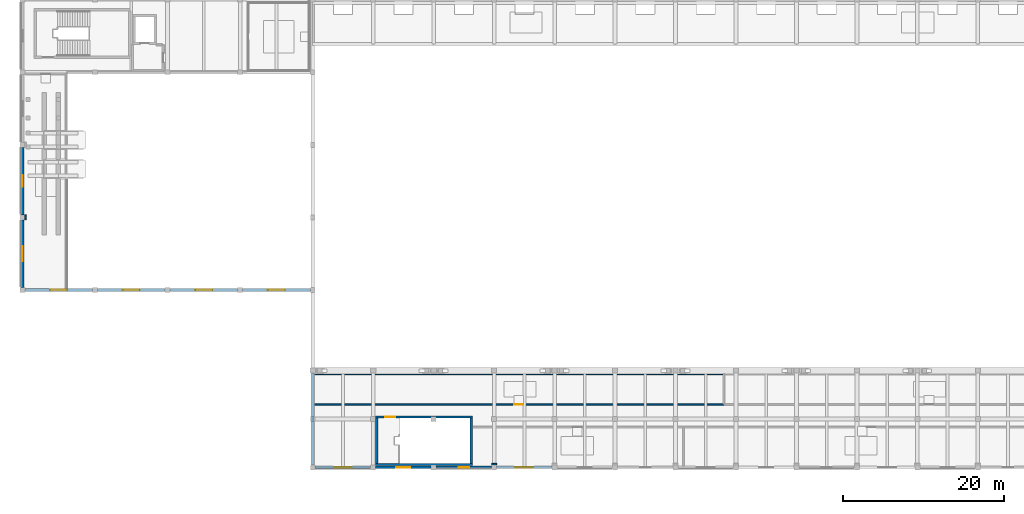
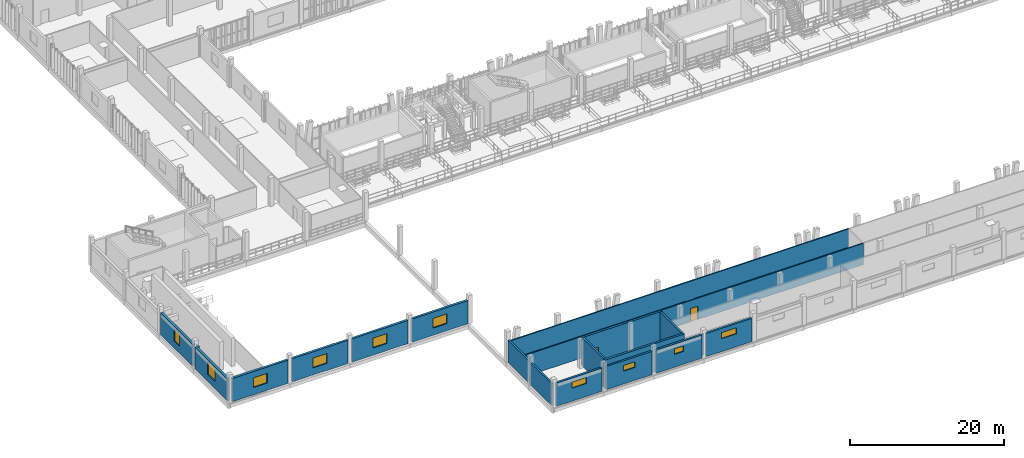
# One storey, part 51 of 81: 19 walls, 10 windows, 2 doors, 12 openings.
"""IFC4 building model written with IfcOpenShell, lengths in metres."""

from ifc_helpers import new_model, si_unit, direction, frame, frame_2d, origin, place, context, subcontext, project, spatial, rectangle, extrude, material, layer, layer_set, type_object, element, fill, save


model = new_model("IFC4")

# Units and contexts
model_context = context("Model", 3, precision=1e-05, world=origin(), true_north=direction((0.0, 1.0)))
body_context = subcontext(model_context, "Body", "Model", "MODEL_VIEW")
ifc_project = project(units=[si_unit("LENGTHUNIT", "METRE"), si_unit("AREAUNIT", "SQUARE_METRE"), si_unit("VOLUMEUNIT", "CUBIC_METRE"), si_unit("PLANEANGLEUNIT", "RADIAN"), si_unit("MASSUNIT", "GRAM", prefix="KILO")], contexts=[model_context])

# Site, building, storey
site_placement = place(None, origin())
site = spatial("IfcSite", under=ifc_project, at=site_placement, CompositionType="ELEMENT")
building_placement = place(site_placement, origin())
building = spatial("IfcBuilding", under=site, at=building_placement, Name="Vourika Railside Aquatics Centre", CompositionType="ELEMENT")
storey_placement = place(building_placement, frame((0.0, 0.0, 4.800048828125)))
storey = spatial("IfcBuildingStorey", under=building, at=storey_placement, Name="L01", CompositionType="ELEMENT", Elevation=4.800048828125)

# Wall
ifc_material_1 = material(Name="Concrete C40/50", Category="concrete")
ifc_layer_1 = layer(ifc_material_1, 0.300048828125, Name="WL-CORE")
ifc_layer_set_1 = layer_set([ifc_layer_1], Name="Concrete C40/50")
wall_type_1 = type_object("IfcWallType", Name="WL-CORE", PredefinedType="SHEAR", material=ifc_layer_set_1)
wall_1_placement = place(storey_placement, frame((55.800048828125, 0.35009765625, 0.0), z_axis=(0.0, 0.0, 1.0), x_axis=(-1.0, 0.0, 0.0)))
element("IfcWall", 1, at=wall_1_placement, inside=storey, type_object=wall_type_1, Name="Protected Exit Stair Core ST11 South Wall (L01)", PredefinedType="SHEAR", context=body_context, shape_type="SweptSolid", body=[
    extrude(rectangle(XDim=12.0, YDim=0.300048828125, at=frame_2d((6.0, 0.0))), origin(), (0.0, 0.0, 1.0), 4.5),
])

# Wall, opening, door
wall_2_placement = place(storey_placement, frame((55.800048828125, 6.25, 0.0), z_axis=(0.0, 0.0, 1.0), x_axis=(-1.0, 0.0, 0.0)))
wall_2 = element("IfcWall", 2, at=wall_2_placement, inside=storey, type_object=wall_type_1, Name="Protected Exit Stair Core ST11 North Wall (L01)", PredefinedType="SHEAR", context=body_context, shape_type="SweptSolid", body=[
    extrude(rectangle(XDim=12.0, YDim=0.300048828125, at=frame_2d((6.0, 0.0))), origin(), (0.0, 0.0, 1.0), 4.5),
])
opening_1_placement = place(wall_2_placement, frame((9.550048828125, 0.0, 0.0)))
opening_1 = element("IfcOpeningElement", 3, at=opening_1_placement, cuts=wall_2, Name="Opening DF02", PredefinedType="OPENING", context=body_context, shape_type="SweptSolid", body=[
    extrude(rectangle(XDim=1.25, YDim=2.14990234375, at=frame_2d((0.625, 1.074951171875))), frame((0.0, 0.16015625, 0.0), z_axis=(0.0, -1.0, 0.0), x_axis=(1.0, 0.0, 0.0)), (0.0, 0.0, 1.0), 0.320068359375),
])
ifc_material_2 = material(Name="Fire-rated wide exit stair door")
door_type_1 = type_object("IfcDoorType", Name="DR-FD60-125", OperationType="NOTDEFINED", PredefinedType="DOOR", material=ifc_material_2)
door_1_placement = place(opening_1_placement, origin())
door_1 = element("IfcDoor", 4, at=door_1_placement, inside=storey, type_object=door_type_1, Name="Protected Exit Stair Core ST11 Enclosure Fire Door (L01)", OperationType="SINGLE_SWING_LEFT", OverallHeight=2.14990234375, OverallWidth=1.25, PredefinedType="DOOR", context=body_context, shape_type="SweptSolid", body=[
    extrude(rectangle(XDim=1.25, YDim=2.14990234375, at=frame_2d((0.625, 1.074951171875))), frame((0.0, 0.02490234375, 0.0), z_axis=(0.0, -1.0, 0.0), x_axis=(1.0, 0.0, 0.0)), (0.0, 0.0, 1.0), 0.050048828125),
])
fill(opening_1, door_1)

# Walls
for number, where, z_axis, x_axis, name in (
    (5, (43.949951171875, 6.10009765625, 0.0), (0.0, 0.0, 1.0), (0.0, -1.0, 0.0), "Protected Exit Stair Core ST11 West Wall (L01)"),
    (6, (55.64990234375, 0.5, 0.0), (0.0, 0.0, 1.0), (0.0, 1.0, 0.0), "Protected Exit Stair Core ST11 East Wall (L01)"),
):
    element("IfcWall", number, at=place(storey_placement, frame(where, z_axis=z_axis, x_axis=x_axis)), inside=storey, type_object=wall_type_1, Name=name, PredefinedType="SHEAR", context=body_context, shape_type="SweptSolid", body=[
        extrude(rectangle(XDim=5.60009765625, YDim=0.300048828125, at=frame_2d((2.800048828125, 0.0))), origin(), (0.0, 0.0, 1.0), 4.5),
    ])
ifc_material_3 = material(Name="Precast concrete C40/50", Category="concrete")
ifc_layer_2 = layer(ifc_material_3, 0.27001953125, Name="WL-EXT-270")
ifc_layer_set_2 = layer_set([ifc_layer_2], Name="Precast concrete C40/50")
wall_type_2 = type_object("IfcWallType", Name="WL-EXT-270", PredefinedType="SOLIDWALL", material=ifc_layer_set_2)
wall_3_placement = place(storey_placement, frame((36.0, 11.675048828125, 0.0), z_axis=(0.0, 0.0, 1.0), x_axis=(0.0, -1.0, 0.0)))
element("IfcWall", 7, at=wall_3_placement, inside=storey, type_object=wall_type_2, Name="Changing Village West Return Wall (L01)", PredefinedType="SOLIDWALL", context=body_context, shape_type="SweptSolid", body=[
    extrude(rectangle(XDim=11.375, YDim=0.27001953125, at=frame_2d((5.6875, 0.0))), origin(), (0.0, 0.0, 1.0), 3.5),
])

# Wall, opening, window
ifc_layer_3 = layer(ifc_material_3, 0.2900390625, Name="WL-EXT-290")
ifc_layer_set_3 = layer_set([ifc_layer_3], Name="Precast concrete C40/50")
wall_type_3 = type_object("IfcWallType", Name="WL-EXT-290", PredefinedType="SOLIDWALL", material=ifc_layer_set_3)
wall_4_placement = place(storey_placement, frame((36.300048828125, 0.0, 0.0), z_axis=(0.0, 0.0, 1.0), x_axis=(1.0, 0.0, 0.0)))
wall_4 = element("IfcWall", 8, at=wall_4_placement, inside=storey, type_object=wall_type_3, Name="Changing Village South Precast Wall L01-1", PredefinedType="SOLIDWALL", context=body_context, shape_type="SweptSolid", body=[
    extrude(rectangle(XDim=6.89990234375, YDim=0.2900390625, at=frame_2d((3.449951171875, 0.0))), origin(), (0.0, 0.0, 1.0), 3.699951171875),
])
opening_2_placement = place(wall_4_placement, frame((2.35009765625, 0.0, 2.050048828125)))
opening_2 = element("IfcOpeningElement", 9, at=opening_2_placement, cuts=wall_4, Name="Opening W17", PredefinedType="OPENING", context=body_context, shape_type="SweptSolid", body=[
    extrude(rectangle(XDim=2.199951171875, YDim=0.949951171875, at=frame_2d((1.10009765625, 0.47509765625))), frame((0.0, 0.155029296875, 0.0), z_axis=(0.0, -1.0, 0.0), x_axis=(1.0, 0.0, 0.0)), (0.0, 0.0, 1.0), 0.31005859375),
])
ifc_material_4 = material(Name="Laminated solar-control glass", Category="glass")
window_type_1 = type_object("IfcWindowType", Name="WN-CHG-220x095", PartitioningType="DOUBLE_PANEL_HORIZONTAL", PredefinedType="WINDOW", material=ifc_material_4)
window_1_placement = place(opening_2_placement, origin())
window_1 = element("IfcWindow", 10, at=window_1_placement, inside=storey, type_object=window_type_1, Name="Changing High-Level Privacy Window L01-1", OverallHeight=0.949951171875, OverallWidth=2.199951171875, PartitioningType="SINGLE_PANEL", PredefinedType="WINDOW", context=body_context, shape_type="SweptSolid", body=[
    extrude(rectangle(XDim=2.199951171875, YDim=0.949951171875, at=frame_2d((1.10009765625, 0.47509765625))), frame((0.0, 0.030029296875, 0.0), z_axis=(0.0, -1.0, 0.0), x_axis=(1.0, 0.0, 0.0)), (0.0, 0.0, 1.0), 0.06005859375),
])
fill(opening_2, window_1)

wall_5_placement = place(storey_placement, frame((43.800048828125, 0.0, 0.0), z_axis=(0.0, 0.0, 1.0), x_axis=(1.0, 0.0, 0.0)))
wall_5 = element("IfcWall", 11, at=wall_5_placement, inside=storey, type_object=wall_type_3, Name="Changing Village South Precast Wall L01-2", PredefinedType="SOLIDWALL", context=body_context, shape_type="SweptSolid", body=[
    extrude(rectangle(XDim=6.89990234375, YDim=0.2900390625, at=frame_2d((3.449951171875, 0.0))), origin(), (0.0, 0.0, 1.0), 3.699951171875),
])
opening_3_placement = place(wall_5_placement, frame((2.574951171875, 0.0, 2.050048828125)))
opening_3 = element("IfcOpeningElement", 12, at=opening_3_placement, cuts=wall_5, Name="Opening W18", PredefinedType="OPENING", context=body_context, shape_type="SweptSolid", body=[
    extrude(rectangle(XDim=1.75, YDim=0.89990234375, at=frame_2d((0.875, 0.449951171875))), frame((0.0, 0.155029296875, 0.0), z_axis=(0.0, -1.0, 0.0), x_axis=(1.0, 0.0, 0.0)), (0.0, 0.0, 1.0), 0.31005859375),
])
window_type_2 = type_object("IfcWindowType", Name="WN-CHG-175x090", PartitioningType="DOUBLE_PANEL_HORIZONTAL", PredefinedType="WINDOW", material=ifc_material_4)
window_2_placement = place(opening_3_placement, origin())
window_2 = element("IfcWindow", 13, at=window_2_placement, inside=storey, type_object=window_type_2, Name="Changing High-Level Privacy Window L01-2", OverallHeight=0.89990234375, OverallWidth=1.75, PartitioningType="SINGLE_PANEL", PredefinedType="WINDOW", context=body_context, shape_type="SweptSolid", body=[
    extrude(rectangle(XDim=1.75, YDim=0.89990234375, at=frame_2d((0.875, 0.449951171875))), frame((0.0, 0.030029296875, 0.0), z_axis=(0.0, -1.0, 0.0), x_axis=(1.0, 0.0, 0.0)), (0.0, 0.0, 1.0), 0.06005859375),
])
fill(opening_3, window_2)

wall_6_placement = place(storey_placement, frame((51.300048828125, 0.0, 0.0), z_axis=(0.0, 0.0, 1.0), x_axis=(1.0, 0.0, 0.0)))
wall_6 = element("IfcWall", 14, at=wall_6_placement, inside=storey, type_object=wall_type_3, Name="Changing Village South Precast Wall L01-3", PredefinedType="SOLIDWALL", context=body_context, shape_type="SweptSolid", body=[
    extrude(rectangle(XDim=6.89990234375, YDim=0.2900390625, at=frame_2d((3.449951171875, 0.0))), origin(), (0.0, 0.0, 1.0), 3.699951171875),
])
opening_4_placement = place(wall_6_placement, frame((2.800048828125, 0.0, 2.050048828125)))
opening_4 = element("IfcOpeningElement", 15, at=opening_4_placement, cuts=wall_6, Name="Opening W19", PredefinedType="OPENING", context=body_context, shape_type="SweptSolid", body=[
    extrude(rectangle(XDim=1.300048828125, YDim=0.85009765625, at=frame_2d((0.64990234375, 0.425048828125))), frame((0.0, 0.155029296875, 0.0), z_axis=(0.0, -1.0, 0.0), x_axis=(1.0, 0.0, 0.0)), (0.0, 0.0, 1.0), 0.31005859375),
])
window_type_3 = type_object("IfcWindowType", Name="WN-CHG-130x085", PartitioningType="SINGLE_PANEL", PredefinedType="WINDOW", material=ifc_material_4)
window_3_placement = place(opening_4_placement, origin())
window_3 = element("IfcWindow", 16, at=window_3_placement, inside=storey, type_object=window_type_3, Name="Changing High-Level Privacy Window L01-3", OverallHeight=0.85009765625, OverallWidth=1.300048828125, PartitioningType="SINGLE_PANEL", PredefinedType="WINDOW", context=body_context, shape_type="SweptSolid", body=[
    extrude(rectangle(XDim=1.300048828125, YDim=0.85009765625, at=frame_2d((0.64990234375, 0.425048828125))), frame((0.0, 0.030029296875, 0.0), z_axis=(0.0, -1.0, 0.0), x_axis=(1.0, 0.0, 0.0)), (0.0, 0.0, 1.0), 0.06005859375),
])
fill(opening_4, window_3)

wall_7_placement = place(storey_placement, frame((58.800048828125, 0.0, 0.0), z_axis=(0.0, 0.0, 1.0), x_axis=(1.0, 0.0, 0.0)))
wall_7 = element("IfcWall", 17, at=wall_7_placement, inside=storey, type_object=wall_type_3, Name="Changing Village South Precast Wall L01-4", PredefinedType="SOLIDWALL", context=body_context, shape_type="SweptSolid", body=[
    extrude(rectangle(XDim=6.89990234375, YDim=0.2900390625, at=frame_2d((3.449951171875, 0.0))), origin(), (0.0, 0.0, 1.0), 3.699951171875),
])
opening_5_placement = place(wall_7_placement, frame((2.35009765625, 0.0, 2.050048828125)))
opening_5 = element("IfcOpeningElement", 18, at=opening_5_placement, cuts=wall_7, Name="Opening W17", PredefinedType="OPENING", context=body_context, shape_type="SweptSolid", body=[
    extrude(rectangle(XDim=2.199951171875, YDim=0.949951171875, at=frame_2d((1.10009765625, 0.47509765625))), frame((0.0, 0.155029296875, 0.0), z_axis=(0.0, -1.0, 0.0), x_axis=(1.0, 0.0, 0.0)), (0.0, 0.0, 1.0), 0.31005859375),
])
window_4_placement = place(opening_5_placement, origin())
window_4 = element("IfcWindow", 19, at=window_4_placement, inside=storey, type_object=window_type_1, Name="Changing High-Level Privacy Window L01-4", OverallHeight=0.949951171875, OverallWidth=2.199951171875, PartitioningType="SINGLE_PANEL", PredefinedType="WINDOW", context=body_context, shape_type="SweptSolid", body=[
    extrude(rectangle(XDim=2.199951171875, YDim=0.949951171875, at=frame_2d((1.10009765625, 0.47509765625))), frame((0.0, 0.030029296875, 0.0), z_axis=(0.0, -1.0, 0.0), x_axis=(1.0, 0.0, 0.0)), (0.0, 0.0, 1.0), 0.06005859375),
])
fill(opening_5, window_4)

ifc_layer_4 = layer(ifc_material_3, 0.340087890625, Name="WL-EXT-340")
ifc_layer_set_4 = layer_set([ifc_layer_4], Name="Precast concrete C40/50")
wall_type_4 = type_object("IfcWallType", Name="WL-EXT-340", PredefinedType="SOLIDWALL", material=ifc_layer_set_4)
wall_8_placement = place(storey_placement, frame((0.0, 30.699951171875, 0.0), z_axis=(0.0, 0.0, 1.0), x_axis=(0.0, -1.0, 0.0)))
wall_8 = element("IfcWall", 20, at=wall_8_placement, inside=storey, type_object=wall_type_4, Name="Diving Hall West Precast Wall (L01-1)", PredefinedType="SOLIDWALL", context=body_context, shape_type="SweptSolid", body=[
    extrude(rectangle(XDim=8.39990234375, YDim=0.340087890625, at=frame_2d((4.199951171875, 0.0))), origin(), (0.0, 0.0, 1.0), 3.5),
])
opening_6_placement = place(wall_8_placement, frame((3.27490234375, 0.0, 1.14990234375)))
opening_6 = element("IfcOpeningElement", 21, at=opening_6_placement, cuts=wall_8, Name="Opening W15", PredefinedType="OPENING", context=body_context, shape_type="SweptSolid", body=[
    extrude(rectangle(XDim=1.85009765625, YDim=2.10009765625, at=frame_2d((0.925048828125, 1.050048828125))), frame((0.0, 0.18017578125, 0.0), z_axis=(0.0, -1.0, 0.0), x_axis=(1.0, 0.0, 0.0)), (0.0, 0.0, 1.0), 0.360107421875),
])
window_type_4 = type_object("IfcWindowType", Name="WN-DIV-185x210", PartitioningType="DOUBLE_PANEL_VERTICAL", PredefinedType="WINDOW", material=ifc_material_4)
window_5_placement = place(opening_6_placement, origin())
window_5 = element("IfcWindow", 22, at=window_5_placement, inside=storey, type_object=window_type_4, Name="Diving Gallery West Window L01-1", OverallHeight=2.10009765625, OverallWidth=1.85009765625, PartitioningType="SINGLE_PANEL", PredefinedType="WINDOW", context=body_context, shape_type="SweptSolid", body=[
    extrude(rectangle(XDim=1.85009765625, YDim=2.10009765625, at=frame_2d((0.925048828125, 1.050048828125))), frame((0.0, 0.030029296875, 0.0), z_axis=(0.0, -1.0, 0.0), x_axis=(1.0, 0.0, 0.0)), (0.0, 0.0, 1.0), 0.06005859375),
])
fill(opening_6, window_5)

wall_9_placement = place(storey_placement, frame((0.0, 39.699951171875, 0.0), z_axis=(0.0, 0.0, 1.0), x_axis=(0.0, -1.0, 0.0)))
wall_9 = element("IfcWall", 23, at=wall_9_placement, inside=storey, type_object=wall_type_4, Name="Diving Hall West Precast Wall (L01-2)", PredefinedType="SOLIDWALL", context=body_context, shape_type="SweptSolid", body=[
    extrude(rectangle(XDim=8.39990234375, YDim=0.340087890625, at=frame_2d((4.199951171875, 0.0))), origin(), (0.0, 0.0, 1.0), 3.5),
])
opening_7_placement = place(wall_9_placement, frame((3.5, 0.0, 1.14990234375)))
opening_7 = element("IfcOpeningElement", 24, at=opening_7_placement, cuts=wall_9, Name="Opening W16", PredefinedType="OPENING", context=body_context, shape_type="SweptSolid", body=[
    extrude(rectangle(XDim=1.39990234375, YDim=1.949951171875, at=frame_2d((0.699951171875, 0.97509765625))), frame((0.0, 0.18017578125, 0.0), z_axis=(0.0, -1.0, 0.0), x_axis=(1.0, 0.0, 0.0)), (0.0, 0.0, 1.0), 0.360107421875),
])
window_type_5 = type_object("IfcWindowType", Name="WN-DIV-140x195", PartitioningType="SINGLE_PANEL", PredefinedType="WINDOW", material=ifc_material_4)
window_6_placement = place(opening_7_placement, origin())
window_6 = element("IfcWindow", 25, at=window_6_placement, inside=storey, type_object=window_type_5, Name="Diving Gallery West Window L01-2", OverallHeight=1.949951171875, OverallWidth=1.39990234375, PartitioningType="SINGLE_PANEL", PredefinedType="WINDOW", context=body_context, shape_type="SweptSolid", body=[
    extrude(rectangle(XDim=1.39990234375, YDim=1.949951171875, at=frame_2d((0.699951171875, 0.97509765625))), frame((0.0, 0.030029296875, 0.0), z_axis=(0.0, -1.0, 0.0), x_axis=(1.0, 0.0, 0.0)), (0.0, 0.0, 1.0), 0.06005859375),
])
fill(opening_7, window_6)

wall_10_placement = place(storey_placement, frame((0.300048828125, 22.0, 0.0), z_axis=(0.0, 0.0, 1.0), x_axis=(1.0, 0.0, 0.0)))
wall_10 = element("IfcWall", 26, at=wall_10_placement, inside=storey, type_object=wall_type_4, Name="Diving Hall South Wall (L01-1)", PredefinedType="SOLIDWALL", context=body_context, shape_type="SweptSolid", body=[
    extrude(rectangle(XDim=8.39990234375, YDim=0.340087890625, at=frame_2d((4.199951171875, 0.0))), origin(), (0.0, 0.0, 1.0), 3.699951171875),
])
opening_8_placement = place(wall_10_placement, frame((3.14990234375, 0.0, 1.14990234375)))
opening_8 = element("IfcOpeningElement", 27, at=opening_8_placement, cuts=wall_10, Name="Opening W07", PredefinedType="OPENING", context=body_context, shape_type="SweptSolid", body=[
    extrude(rectangle(XDim=2.10009765625, YDim=1.550048828125, at=frame_2d((1.050048828125, 0.77490234375))), frame((0.0, 0.18017578125, 0.0), z_axis=(0.0, -1.0, 0.0), x_axis=(1.0, 0.0, 0.0)), (0.0, 0.0, 1.0), 0.360107421875),
])
window_type_6 = type_object("IfcWindowType", Name="WN-CLN-210x155", PartitioningType="DOUBLE_PANEL_VERTICAL", PredefinedType="WINDOW", material=ifc_material_4)
window_7_placement = place(opening_8_placement, origin())
window_7 = element("IfcWindow", 28, at=window_7_placement, inside=storey, type_object=window_type_6, Name="Diving South Window L01-1", OverallHeight=1.550048828125, OverallWidth=2.10009765625, PartitioningType="SINGLE_PANEL", PredefinedType="WINDOW", context=body_context, shape_type="SweptSolid", body=[
    extrude(rectangle(XDim=2.10009765625, YDim=1.550048828125, at=frame_2d((1.050048828125, 0.77490234375))), frame((0.0, 0.030029296875, 0.0), z_axis=(0.0, -1.0, 0.0), x_axis=(1.0, 0.0, 0.0)), (0.0, 0.0, 1.0), 0.06005859375),
])
fill(opening_8, window_7)

wall_11_placement = place(storey_placement, frame((9.300048828125, 22.0, 0.0), z_axis=(0.0, 0.0, 1.0), x_axis=(1.0, 0.0, 0.0)))
wall_11 = element("IfcWall", 29, at=wall_11_placement, inside=storey, type_object=wall_type_4, Name="Diving Hall South Wall (L01-2)", PredefinedType="SOLIDWALL", context=body_context, shape_type="SweptSolid", body=[
    extrude(rectangle(XDim=8.39990234375, YDim=0.340087890625, at=frame_2d((4.199951171875, 0.0))), origin(), (0.0, 0.0, 1.0), 3.699951171875),
])
opening_9_placement = place(wall_11_placement, frame((3.14990234375, 0.0, 1.14990234375)))
opening_9 = element("IfcOpeningElement", 30, at=opening_9_placement, cuts=wall_11, Name="Opening W07", PredefinedType="OPENING", context=body_context, shape_type="SweptSolid", body=[
    extrude(rectangle(XDim=2.10009765625, YDim=1.550048828125, at=frame_2d((1.050048828125, 0.77490234375))), frame((0.0, 0.18017578125, 0.0), z_axis=(0.0, -1.0, 0.0), x_axis=(1.0, 0.0, 0.0)), (0.0, 0.0, 1.0), 0.360107421875),
])
window_8_placement = place(opening_9_placement, origin())
window_8 = element("IfcWindow", 31, at=window_8_placement, inside=storey, type_object=window_type_6, Name="Diving South Window L01-2", OverallHeight=1.550048828125, OverallWidth=2.10009765625, PartitioningType="SINGLE_PANEL", PredefinedType="WINDOW", context=body_context, shape_type="SweptSolid", body=[
    extrude(rectangle(XDim=2.10009765625, YDim=1.550048828125, at=frame_2d((1.050048828125, 0.77490234375))), frame((0.0, 0.030029296875, 0.0), z_axis=(0.0, -1.0, 0.0), x_axis=(1.0, 0.0, 0.0)), (0.0, 0.0, 1.0), 0.06005859375),
])
fill(opening_9, window_8)

wall_12_placement = place(storey_placement, frame((18.300048828125, 22.0, 0.0), z_axis=(0.0, 0.0, 1.0), x_axis=(1.0, 0.0, 0.0)))
wall_12 = element("IfcWall", 32, at=wall_12_placement, inside=storey, type_object=wall_type_4, Name="Diving Hall South Wall (L01-3)", PredefinedType="SOLIDWALL", context=body_context, shape_type="SweptSolid", body=[
    extrude(rectangle(XDim=8.39990234375, YDim=0.340087890625, at=frame_2d((4.199951171875, 0.0))), origin(), (0.0, 0.0, 1.0), 3.699951171875),
])
opening_10_placement = place(wall_12_placement, frame((3.14990234375, 0.0, 1.14990234375)))
opening_10 = element("IfcOpeningElement", 33, at=opening_10_placement, cuts=wall_12, Name="Opening W07", PredefinedType="OPENING", context=body_context, shape_type="SweptSolid", body=[
    extrude(rectangle(XDim=2.10009765625, YDim=1.550048828125, at=frame_2d((1.050048828125, 0.77490234375))), frame((0.0, 0.18017578125, 0.0), z_axis=(0.0, -1.0, 0.0), x_axis=(1.0, 0.0, 0.0)), (0.0, 0.0, 1.0), 0.360107421875),
])
window_9_placement = place(opening_10_placement, origin())
window_9 = element("IfcWindow", 34, at=window_9_placement, inside=storey, type_object=window_type_6, Name="Diving South Window L01-3", OverallHeight=1.550048828125, OverallWidth=2.10009765625, PartitioningType="SINGLE_PANEL", PredefinedType="WINDOW", context=body_context, shape_type="SweptSolid", body=[
    extrude(rectangle(XDim=2.10009765625, YDim=1.550048828125, at=frame_2d((1.050048828125, 0.77490234375))), frame((0.0, 0.030029296875, 0.0), z_axis=(0.0, -1.0, 0.0), x_axis=(1.0, 0.0, 0.0)), (0.0, 0.0, 1.0), 0.06005859375),
])
fill(opening_10, window_9)

wall_13_placement = place(storey_placement, frame((27.300048828125, 22.0, 0.0), z_axis=(0.0, 0.0, 1.0), x_axis=(1.0, 0.0, 0.0)))
wall_13 = element("IfcWall", 35, at=wall_13_placement, inside=storey, type_object=wall_type_4, Name="Diving Hall South Wall (L01-4)", PredefinedType="SOLIDWALL", context=body_context, shape_type="SweptSolid", body=[
    extrude(rectangle(XDim=8.39990234375, YDim=0.340087890625, at=frame_2d((4.199951171875, 0.0))), origin(), (0.0, 0.0, 1.0), 3.699951171875),
])
opening_11_placement = place(wall_13_placement, frame((3.14990234375, 0.0, 1.14990234375)))
opening_11 = element("IfcOpeningElement", 36, at=opening_11_placement, cuts=wall_13, Name="Opening W07", PredefinedType="OPENING", context=body_context, shape_type="SweptSolid", body=[
    extrude(rectangle(XDim=2.10009765625, YDim=1.550048828125, at=frame_2d((1.050048828125, 0.77490234375))), frame((0.0, 0.18017578125, 0.0), z_axis=(0.0, -1.0, 0.0), x_axis=(1.0, 0.0, 0.0)), (0.0, 0.0, 1.0), 0.360107421875),
])
window_10_placement = place(opening_11_placement, origin())
window_10 = element("IfcWindow", 37, at=window_10_placement, inside=storey, type_object=window_type_6, Name="Diving South Window L01-4", OverallHeight=1.550048828125, OverallWidth=2.10009765625, PartitioningType="SINGLE_PANEL", PredefinedType="WINDOW", context=body_context, shape_type="SweptSolid", body=[
    extrude(rectangle(XDim=2.10009765625, YDim=1.550048828125, at=frame_2d((1.050048828125, 0.77490234375))), frame((0.0, 0.030029296875, 0.0), z_axis=(0.0, -1.0, 0.0), x_axis=(1.0, 0.0, 0.0)), (0.0, 0.0, 1.0), 0.06005859375),
])
fill(opening_11, window_10)

# Walls
ifc_material_5 = material(Name="Acoustic twin-stud partition")
ifc_layer_5 = layer(ifc_material_5, 0.159912109375, Name="WL-PART-160")
ifc_layer_set_5 = layer_set([ifc_layer_5], Name="Acoustic twin-stud partition")
wall_type_5 = type_object("IfcWallType", Name="WL-PART-160", PredefinedType="PARTITIONING", material=ifc_layer_set_5)
wall_14_placement = place(storey_placement, frame((0.39990234375, 30.699951171875, 0.0), z_axis=(0.0, 0.0, 1.0), x_axis=(0.0, 1.0, 0.0)))
element("IfcWall", 38, at=wall_14_placement, inside=storey, type_object=wall_type_5, Name="Dryland Diving Trampoline and Harness Studio Partition 4", PredefinedType="PARTITIONING", context=body_context, shape_type="SweptSolid", body=[
    extrude(rectangle(XDim=0.60009765625, YDim=0.159912109375, at=frame_2d((0.300048828125, 0.0))), origin(), (0.0, 0.0, 1.0), 3.39990234375),
])
ifc_material_6 = material(Name="Moisture-resistant wet-village blockwork", Category="masonry")
ifc_layer_6 = layer(ifc_material_6, 0.179931640625, Name="WL-PART-180")
ifc_layer_set_6 = layer_set([ifc_layer_6], Name="Moisture-resistant wet-village blockwork")
wall_type_6 = type_object("IfcWallType", Name="WL-PART-180", PredefinedType="PARTITIONING", material=ifc_layer_set_6)
wall_15_placement = place(storey_placement, frame((58.800048828125, 0.39990234375, 0.0), z_axis=(0.0, 0.0, 1.0), x_axis=(-1.0, 0.0, 0.0)))
element("IfcWall", 39, at=wall_15_placement, inside=storey, type_object=wall_type_6, Name="School Group Wet Changing Suite Partition 6", PredefinedType="PARTITIONING", context=body_context, shape_type="SweptSolid", body=[
    extrude(rectangle(XDim=0.60009765625, YDim=0.179931640625, at=frame_2d((0.300048828125, 0.0))), origin(), (0.0, 0.0, 1.0), 3.39990234375),
])

# Wall, opening, door
wall_16_placement = place(storey_placement, frame((87.0, 7.800048828125, 0.0), z_axis=(0.0, 0.0, 1.0), x_axis=(-1.0, 0.0, 0.0)))
wall_16 = element("IfcWall", 40, at=wall_16_placement, inside=storey, type_object=wall_type_6, Name="Technical Officials and Referees Changing Suite West Partition 1", PredefinedType="PARTITIONING", context=body_context, shape_type="SweptSolid", body=[
    extrude(rectangle(XDim=50.885009765625, YDim=0.179931640625, at=frame_2d((25.4423828125, 0.0))), origin(), (0.0, 0.0, 1.0), 3.39990234375),
])
opening_12_placement = place(wall_16_placement, frame((24.892578125, 0.0, 0.0)))
opening_12 = element("IfcOpeningElement", 41, at=opening_12_placement, cuts=wall_16, Name="Opening DI02", PredefinedType="OPENING", context=body_context, shape_type="SweptSolid", body=[
    extrude(rectangle(XDim=1.10009765625, YDim=2.10009765625, at=frame_2d((0.550048828125, 1.050048828125))), frame((0.0, 0.10009765625, 0.0), z_axis=(0.0, -1.0, 0.0), x_axis=(1.0, 0.0, 0.0)), (0.0, 0.0, 1.0), 0.199951171875),
])
ifc_material_7 = material(Name="Accessible clinic and studio door")
door_type_2 = type_object("IfcDoorType", Name="DR-INT-1100", OperationType="NOTDEFINED", PredefinedType="DOOR", material=ifc_material_7)
door_2_placement = place(opening_12_placement, origin())
door_2 = element("IfcDoor", 42, at=door_2_placement, inside=storey, type_object=door_type_2, Name="Technical Officials and Referees Changing Suite West Door", OperationType="SINGLE_SWING_RIGHT", OverallHeight=2.10009765625, OverallWidth=1.10009765625, PredefinedType="DOOR", context=body_context, shape_type="SweptSolid", body=[
    extrude(rectangle(XDim=1.10009765625, YDim=2.10009765625, at=frame_2d((0.550048828125, 1.050048828125))), frame((0.0, 0.02490234375, 0.0), z_axis=(0.0, -1.0, 0.0), x_axis=(1.0, 0.0, 0.0)), (0.0, 0.0, 1.0), 0.050048828125),
])
fill(opening_12, door_2)

# Wall
wall_17_placement = place(storey_placement, frame((36.114990234375, 11.60009765625, 0.0), z_axis=(0.0, 0.0, 1.0), x_axis=(1.0, 0.0, 0.0)))
element("IfcWall", 43, at=wall_17_placement, inside=storey, type_object=wall_type_6, Name="Technical Officials and Referees Changing Suite West Partition 3", PredefinedType="PARTITIONING", context=body_context, shape_type="SweptSolid", body=[
    extrude(rectangle(XDim=50.885009765625, YDim=0.179931640625, at=frame_2d((25.4423828125, 0.0))), origin(), (0.0, 0.0, 1.0), 3.39990234375),
])

save(model, "model.ifc")
